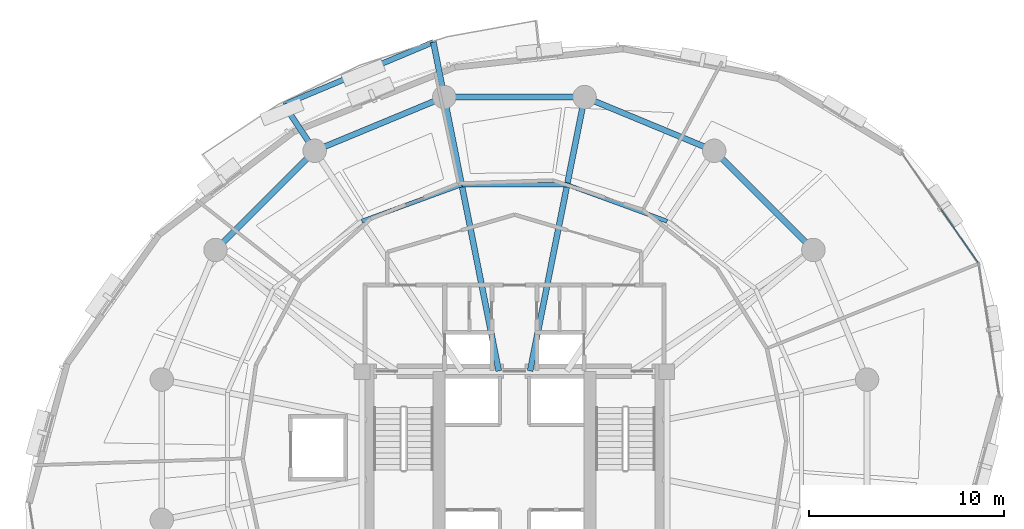
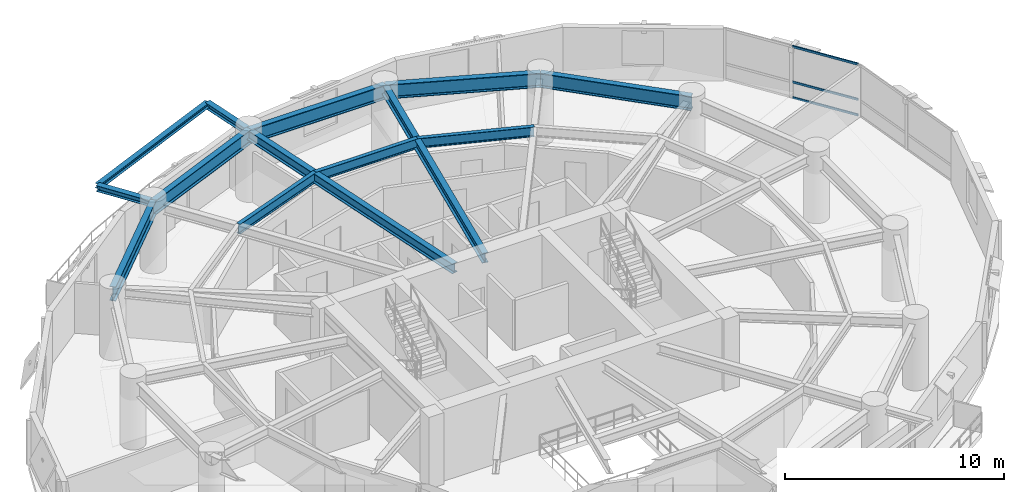
# One storey, part 7 of 14: 13 beams, 3 members, 1 element without a shape of its own.
"""IFC4 building model written with IfcOpenShell, lengths in metres."""

from ifc_helpers import new_model, si_unit, direction, frame, origin, origin_2d, place, context, subcontext, project, spatial, hollow_rectangle, i_section, extrude, material, layer, layer_set, material_profile, profile_set, type_object, element, aggregate, save


model = new_model("IFC4")

# Units and contexts
model_context = context("Model", 3, precision=1e-05, world=origin(), true_north=direction((0.0, 1.0)))
body_context = subcontext(model_context, "Body", "Model", "MODEL_VIEW")
ifc_project = project(units=[si_unit("LENGTHUNIT", "METRE"), si_unit("AREAUNIT", "SQUARE_METRE"), si_unit("VOLUMEUNIT", "CUBIC_METRE"), si_unit("PLANEANGLEUNIT", "RADIAN"), si_unit("MASSUNIT", "GRAM", prefix="KILO"), si_unit("THERMODYNAMICTEMPERATUREUNIT", "KELVIN"), si_unit("POWERUNIT", "WATT")], contexts=[model_context])

# Site, building, storey
site_placement = place(None, origin())
site = spatial("IfcSite", under=ifc_project, at=site_placement, CompositionType="ELEMENT")
building_placement = place(site_placement, origin())
building = spatial("IfcBuilding", under=site, at=building_placement, Name="Ocrelia Relay Tower", CompositionType="ELEMENT")
storey_placement = place(building_placement, frame((0.0, 0.0, 125.800048828125)))
storey = spatial("IfcBuildingStorey", under=building, at=storey_placement, Name="L29", CompositionType="ELEMENT", Elevation=125.800048828125)

# Beams
ifc_material_1 = material(Name="Steel S355", Category="steel")
ifc_material_profile_1 = material_profile(ifc_material_1, i_section(OverallWidth=0.280029296875, OverallDepth=0.27001953125, WebThickness=0.008056640625, FlangeThickness=0.012939453125, FilletRadius=0.02392578125, at=origin_2d()), Name="HEA 280")
ifc_profile_set_1 = profile_set([ifc_material_profile_1], Name="Steel S355")
beam_type_1 = type_object("IfcBeamType", Name="BM-HEA280", PredefinedType="BEAM", material=ifc_profile_set_1)
beam_1_placement = place(storey_placement, frame((29.8505859375, 46.85986328125, 3.5849609375), z_axis=(-0.922554345188, -0.385867179448, 0.0), x_axis=(0.385867179448, -0.922554345188, 0.0)))
element("IfcBeam", 1, at=beam_1_placement, inside=storey, type_object=beam_type_1, Name="L30 Balcony Edge Trimmer Beam B1", PredefinedType="BEAM", context=body_context, shape_type="SweptSolid", body=[
    extrude(i_section(OverallWidth=0.280029296875, OverallDepth=0.27001953125, WebThickness=0.008056640625, FlangeThickness=0.012939453125, FilletRadius=0.02392578125, at=origin_2d()), origin(), (0.0, 0.0, 1.0), 8.29296875),
])
ifc_material_profile_2 = material_profile(ifc_material_1, i_section(OverallWidth=0.300048828125, OverallDepth=0.330078125, WebThickness=0.009521484375, FlangeThickness=0.0166015625, FilletRadius=0.027099609375, at=origin_2d()), Name="HEA 340")
ifc_profile_set_2 = profile_set([ifc_material_profile_2], Name="Steel S355")
beam_type_2 = type_object("IfcBeamType", Name="BM-HEA340", PredefinedType="BEAM", material=ifc_profile_set_2)
beam_2_placement = place(storey_placement, frame((30.410400390625, 44.04638671875, 3.554931640625), z_axis=(-0.195150402675, 0.980773327704, 0.0), x_axis=(-0.980773327704, -0.195150402675, 0.0)))
element("IfcBeam", 2, at=beam_2_placement, inside=storey, type_object=beam_type_2, Name="L30 Balcony Cantilever Beam B1-1", PredefinedType="BEAM", context=body_context, shape_type="SweptSolid", body=[
    extrude(i_section(OverallWidth=0.300048828125, OverallDepth=0.330078125, WebThickness=0.009521484375, FlangeThickness=0.0166015625, FilletRadius=0.027099609375, at=origin_2d()), origin(), (0.0, 0.0, 1.0), 2.86865234375),
])
beam_3_placement = place(storey_placement, frame((23.777587890625, 41.299072265625, 3.554931640625), z_axis=(-0.555612589399, 0.831441309114, 0.0), x_axis=(-0.831441309114, -0.555612589399, 0.0)))
element("IfcBeam", 3, at=beam_3_placement, inside=storey, type_object=beam_type_2, Name="L30 Balcony Cantilever Beam B1-2", PredefinedType="BEAM", context=body_context, shape_type="SweptSolid", body=[
    extrude(i_section(OverallWidth=0.300048828125, OverallDepth=0.330078125, WebThickness=0.009521484375, FlangeThickness=0.0166015625, FilletRadius=0.027099609375, at=origin_2d()), origin(), (0.0, 0.0, 1.0), 2.83935546875),
])
ifc_material_profile_3 = material_profile(ifc_material_1, i_section(OverallWidth=0.300048828125, OverallDepth=0.550048828125, WebThickness=0.014892578125, FlangeThickness=0.029052734375, FilletRadius=0.027099609375, at=origin_2d()), Name="HEB 550")
ifc_profile_set_3 = profile_set([ifc_material_profile_3], Name="Steel S355")
beam_type_3 = type_object("IfcBeamType", Name="BM-HEB550", PredefinedType="BEAM", material=ifc_profile_set_3)
for number, where, z_axis, x_axis, name in (
    (4, (37.589599609375, 44.04638671875, 3.445068359375), (-0.195094300142, -0.980784489096, 0.0), (0.980784489096, -0.195094300142, 0.0), "L29 Radial Floor Girder R04"),
    (5, (30.410400390625, 44.04638671875, 3.445068359375), (0.195094300142, -0.980784489096, 0.0), (0.980784489096, 0.195094300142, 0.0), "L29 Radial Floor Girder R05"),
):
    element("IfcBeam", number, at=place(storey_placement, frame(where, z_axis=z_axis, x_axis=x_axis)), inside=storey, type_object=beam_type_3, Name=name, PredefinedType="BEAM", context=body_context, shape_type="SweptSolid", body=[
        extrude(i_section(OverallWidth=0.300048828125, OverallDepth=0.550048828125, WebThickness=0.014892578125, FlangeThickness=0.029052734375, FilletRadius=0.027099609375, at=origin_2d()), origin(), (0.0, 0.0, 1.0), 14.291015625),
    ])
ifc_material_profile_4 = material_profile(ifc_material_1, i_section(OverallWidth=0.300048828125, OverallDepth=0.800048828125, WebThickness=0.017578125, FlangeThickness=0.032958984375, FilletRadius=0.030029296875, at=origin_2d()), Name="HEB 800")
ifc_profile_set_4 = profile_set([ifc_material_profile_4], Name="Steel S355")
beam_type_4 = type_object("IfcBeamType", Name="BM-HEB800", PredefinedType="BEAM", material=ifc_profile_set_4)
beam_4_placement = place(storey_placement, frame((49.299072265625, 36.222412109375, 3.320068359375), z_axis=(-0.707106781187, 0.707106781187, 0.0), x_axis=(-0.707106781187, -0.707106781187, 0.0)))
element("IfcBeam", 6, at=beam_4_placement, inside=storey, type_object=beam_type_4, Name="L29 Perimeter Spandrel Beam S02", PredefinedType="BEAM", context=body_context, shape_type="SweptSolid", body=[
    extrude(i_section(OverallWidth=0.300048828125, OverallDepth=0.800048828125, WebThickness=0.017578125, FlangeThickness=0.032958984375, FilletRadius=0.030029296875, at=origin_2d()), origin(), (0.0, 0.0, 1.0), 7.179443359375),
])
for number, where, z_axis, x_axis, name in (
    (7, (44.222412109375, 41.299072265625, 3.320068359375), (-0.923883789366, 0.382673155247, 0.0), (-0.382673155247, -0.923883789366, 0.0), "L29 Perimeter Spandrel Beam S03"),
    (8, (37.589599609375, 44.04638671875, 3.320068359375), (-1.0, 0.0, 0.0), (0.0, -1.0, 0.0), "L29 Perimeter Spandrel Beam S04"),
    (9, (30.410400390625, 44.04638671875, 3.320068359375), (-0.923883789366, -0.382673155247, 0.0), (0.382673155247, -0.923883789366, 0.0), "L29 Perimeter Spandrel Beam S05"),
):
    element("IfcBeam", number, at=place(storey_placement, frame(where, z_axis=z_axis, x_axis=x_axis)), inside=storey, type_object=beam_type_4, Name=name, PredefinedType="BEAM", context=body_context, shape_type="SweptSolid", body=[
        extrude(i_section(OverallWidth=0.300048828125, OverallDepth=0.800048828125, WebThickness=0.017578125, FlangeThickness=0.032958984375, FilletRadius=0.030029296875, at=origin_2d()), origin(), (0.0, 0.0, 1.0), 7.17919921875),
    ])
beam_5_placement = place(storey_placement, frame((23.777587890625, 41.299072265625, 3.320068359375), z_axis=(-0.707106781187, -0.707106781187, 0.0), x_axis=(0.707106781187, -0.707106781187, 0.0)))
element("IfcBeam", 10, at=beam_5_placement, inside=storey, type_object=beam_type_4, Name="L29 Perimeter Spandrel Beam S06", PredefinedType="BEAM", context=body_context, shape_type="SweptSolid", body=[
    extrude(i_section(OverallWidth=0.300048828125, OverallDepth=0.800048828125, WebThickness=0.017578125, FlangeThickness=0.032958984375, FilletRadius=0.030029296875, at=origin_2d()), origin(), (0.0, 0.0, 1.0), 7.179443359375),
])
ifc_material_profile_5 = material_profile(ifc_material_1, i_section(OverallWidth=0.2099609375, OverallDepth=0.550048828125, WebThickness=0.010986328125, FlangeThickness=0.01708984375, FilletRadius=0.02392578125, at=origin_2d()), Name="IPE 550")
ifc_profile_set_5 = profile_set([ifc_material_profile_5], Name="Steel S355")
beam_type_5 = type_object("IfcBeamType", Name="BM-IPE550", PredefinedType="JOIST", material=ifc_profile_set_5)
beam_6_placement = place(storey_placement, frame((41.81298828125, 37.69287109375, 3.445068359375), z_axis=(-0.93930687927, 0.34307810562, 0.0), x_axis=(-0.34307810562, -0.93930687927, 0.0)))
element("IfcBeam", 11, at=beam_6_placement, inside=storey, type_object=beam_type_5, Name="L29 Secondary Floor Joist J03", PredefinedType="JOIST", context=body_context, shape_type="SweptSolid", body=[
    extrude(i_section(OverallWidth=0.2099609375, OverallDepth=0.550048828125, WebThickness=0.010986328125, FlangeThickness=0.01708984375, FilletRadius=0.02392578125, at=origin_2d()), origin(), (0.0, 0.0, 1.0), 5.446044921875),
])
beam_7_placement = place(storey_placement, frame((36.697509765625, 39.561279296875, 3.445068359375), z_axis=(-1.0, 0.0, 0.0), x_axis=(0.0, -1.0, 0.0)))
element("IfcBeam", 12, at=beam_7_placement, inside=storey, type_object=beam_type_5, Name="L29 Secondary Floor Joist J04", PredefinedType="JOIST", context=body_context, shape_type="SweptSolid", body=[
    extrude(i_section(OverallWidth=0.2099609375, OverallDepth=0.550048828125, WebThickness=0.010986328125, FlangeThickness=0.01708984375, FilletRadius=0.02392578125, at=origin_2d()), origin(), (0.0, 0.0, 1.0), 5.39501953125),
])
beam_8_placement = place(storey_placement, frame((31.302490234375, 39.561279296875, 3.445068359375), z_axis=(-0.93930687927, -0.34307810562, 0.0), x_axis=(0.34307810562, -0.93930687927, 0.0)))
element("IfcBeam", 13, at=beam_8_placement, inside=storey, type_object=beam_type_5, Name="L29 Secondary Floor Joist J05", PredefinedType="JOIST", context=body_context, shape_type="SweptSolid", body=[
    extrude(i_section(OverallWidth=0.2099609375, OverallDepth=0.550048828125, WebThickness=0.010986328125, FlangeThickness=0.01708984375, FilletRadius=0.02392578125, at=origin_2d()), origin(), (0.0, 0.0, 1.0), 5.446044921875),
])

# Curtain wall, members
ifc_material_2 = material(Name="Aluminium and solar-control low-E glass", Category="aluminium")
ifc_layer = layer(ifc_material_2, 0.179931640625, Name="Aluminium and solar-control low-E glass")
ifc_layer_set = layer_set([ifc_layer], Name="Aluminium and solar-control low-E glass")
curtain_wall_type = type_object("IfcCurtainWallType", Name="CW-SYS-Z2-SWIT", PredefinedType="NOTDEFINED", material=ifc_layer_set)
curtain_wall_placement = place(storey_placement, origin())
curtain_wall = element("IfcCurtainWall", 14, at=curtain_wall_placement, inside=storey, type_object=curtain_wall_type, Name="L29 Elliptical Tower Curtain Wall Bay 01", PredefinedType="NOTDEFINED")
ifc_material_3 = material(Name="Anodised bronze aluminium", Category="aluminium")
ifc_material_profile_6 = material_profile(ifc_material_3, hollow_rectangle(XDim=0.06005859375, YDim=0.1201171875, WallThickness=0.0048828125, at=origin_2d()), Name="CW-TRN-120x60")
ifc_profile_set_6 = profile_set([ifc_material_profile_6], Name="Anodised bronze aluminium")
member_type = type_object("IfcMemberType", Name="CW-SYS-Z2-SWIT-TRN", PredefinedType="USERDEFINED", material=ifc_profile_set_6)
member_1_placement = place(storey_placement, frame((57.720947265625, 35.585205078125, 0.030029296875), z_axis=(-0.570997987261, 0.82095145931, 0.0), x_axis=(-0.82095145931, -0.570997987261, 0.0)))
member_1 = element("IfcMember", 15, at=member_1_placement, type_object=member_type, Name="CW-Z2 transom 1.1", ObjectType="TRANSOM", PredefinedType="USERDEFINED", context=body_context, shape_type="SweptSolid", body=[
    extrude(hollow_rectangle(XDim=0.06005859375, YDim=0.1201171875, WallThickness=0.0048828125, at=origin_2d()), origin(), (0.0, 0.0, 1.0), 3.334716796875),
])
member_2_placement = place(storey_placement, frame((57.720947265625, 35.585205078125, 0.89990234375), z_axis=(-0.570997987261, 0.82095145931, 0.0), x_axis=(-0.82095145931, -0.570997987261, 0.0)))
member_2 = element("IfcMember", 16, at=member_2_placement, type_object=member_type, Name="CW-Z2 transom 1.2", ObjectType="TRANSOM", PredefinedType="USERDEFINED", context=body_context, shape_type="SweptSolid", body=[
    extrude(hollow_rectangle(XDim=0.06005859375, YDim=0.1201171875, WallThickness=0.0048828125, at=origin_2d()), origin(), (0.0, 0.0, 1.0), 3.334716796875),
])
member_3_placement = place(storey_placement, frame((57.720947265625, 35.585205078125, 2.869873046875), z_axis=(-0.570997987261, 0.82095145931, 0.0), x_axis=(-0.82095145931, -0.570997987261, 0.0)))
member_3 = element("IfcMember", 17, at=member_3_placement, type_object=member_type, Name="CW-Z2 transom 1.3", ObjectType="TRANSOM", PredefinedType="USERDEFINED", context=body_context, shape_type="SweptSolid", body=[
    extrude(hollow_rectangle(XDim=0.06005859375, YDim=0.1201171875, WallThickness=0.0048828125, at=origin_2d()), origin(), (0.0, 0.0, 1.0), 3.334716796875),
])
aggregate(curtain_wall, [member_1, member_2, member_3])

save(model, "model.ifc")
